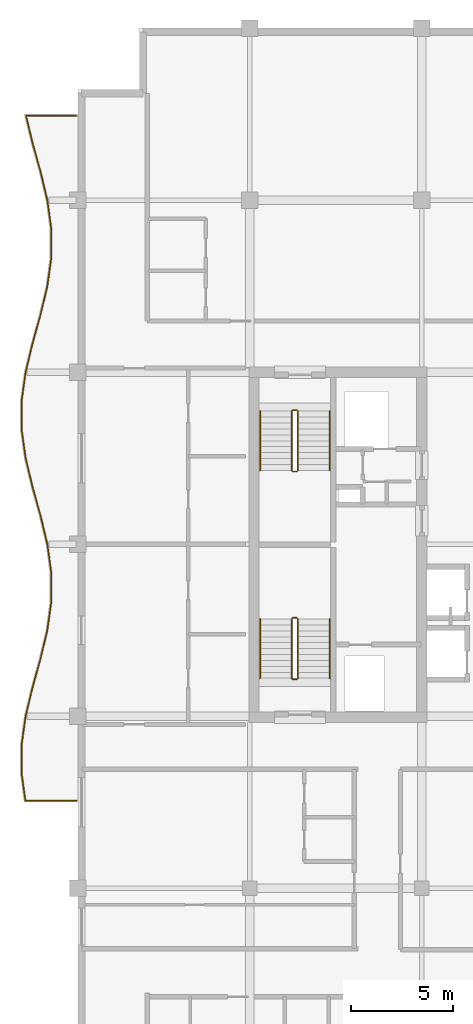
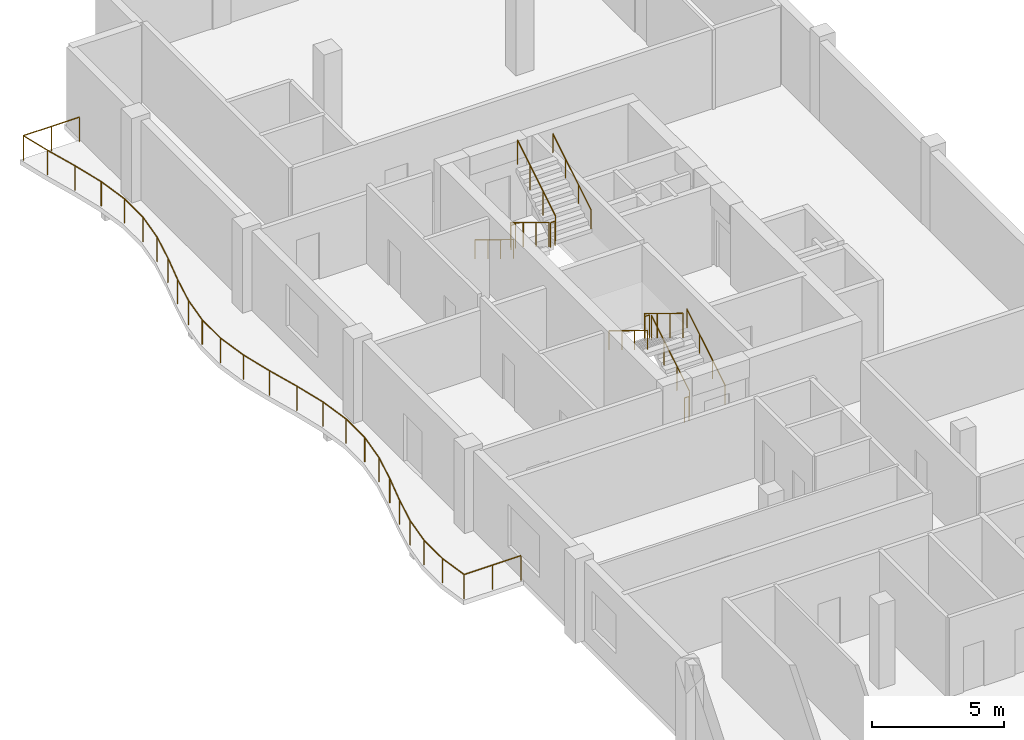
# One storey, part 11 of 11: 13 railings.
"""IFC4 building model written with IfcOpenShell, lengths in metres."""

from ifc_helpers import new_model, si_unit, direction, frame, origin, origin_2d, place, context, subcontext, project, spatial, circle, extrude, material, type_object, element, save


model = new_model("IFC4")

# Units and contexts
model_context = context("Model", 3, precision=1e-05, world=origin(), true_north=direction((0.0, 1.0)))
body_context = subcontext(model_context, "Body", "Model", "MODEL_VIEW")
ifc_project = project(units=[si_unit("LENGTHUNIT", "METRE"), si_unit("AREAUNIT", "SQUARE_METRE"), si_unit("VOLUMEUNIT", "CUBIC_METRE"), si_unit("PLANEANGLEUNIT", "RADIAN"), si_unit("MASSUNIT", "GRAM", prefix="KILO")], contexts=[model_context])

# Site, building, storey
site_placement = place(None, origin())
site = spatial("IfcSite", under=ifc_project, at=site_placement, CompositionType="ELEMENT")
building_placement = place(site_placement, origin())
building = spatial("IfcBuilding", under=site, at=building_placement, Name="Koriwani Terraces Tower", CompositionType="ELEMENT")
storey_placement = place(building_placement, frame((0.0, 0.0, 312.5)))
storey = spatial("IfcBuildingStorey", under=building, at=storey_placement, Name="L77", CompositionType="ELEMENT", Elevation=312.5)

# Railings
ifc_material = material(Name="Steel ASTM A572 Grade 50", Category="steel")
railing_type_1 = type_object("IfcRailingType", Name="GUARD_BALUSTRADE_1150", PredefinedType="BALUSTRADE", material=ifc_material)
railing_1_placement = place(storey_placement, frame((8.320068359375, 37.8798828125, 0.0)))
element("IfcRailing", 1, at=railing_1_placement, inside=storey, type_object=railing_type_1, Name="L77 Balcony Perimeter Safety Balustrade (W)", PredefinedType="BALUSTRADE", context=body_context, shape_type="SweptSolid", body=[
    extrude(circle(Radius=0.02392578125, at=origin_2d()), frame((0.0, 0.0, 1.1259765625), z_axis=(-1.0, 0.0, 0.0), x_axis=(0.0, -1.0, 0.0)), (0.0, 0.0, 1.0), 2.480712890625),
    extrude(circle(Radius=0.02392578125, at=origin_2d()), frame((-2.480712890625, 0.0, 1.1259765625), z_axis=(-0.137359576657, 0.990521249999, 0.0), x_axis=(-0.990521249999, -0.137359576657, 0.0)), (0.0, 0.0, 1.0), 1.33837890625),
    extrude(circle(Radius=0.02392578125, at=origin_2d()), frame((-2.66455078125, 1.32568359375, 1.1259765625), z_axis=(0.0, 1.0, 0.0), x_axis=(-1.0, 0.0, 0.0)), (0.0, 0.0, 1.0), 1.388916015625),
    extrude(circle(Radius=0.02392578125, at=origin_2d()), frame((-2.66455078125, 2.714599609375, 1.1259765625), z_axis=(0.137378806302, 0.990518583157, 0.0), x_axis=(-0.990518583157, 0.137378806302, 0.0)), (0.0, 0.0, 1.0), 1.404052734375),
    extrude(circle(Radius=0.02392578125, at=origin_2d()), frame((-2.4716796875, 4.105224609375, 1.1259765625), z_axis=(0.233514568862, 0.972353303141, 0.0), x_axis=(-0.972353303141, 0.233514568862, 0.0)), (0.0, 0.0, 1.0), 1.434326171875),
    extrude(circle(Radius=0.02392578125, at=origin_2d()), frame((-2.13671875, 5.5, 1.1259765625), z_axis=(0.26716718525, 0.963650193341, 0.0), x_axis=(-0.963650193341, 0.26716718525, 0.0)), (0.0, 0.0, 1.0), 1.452880859375),
    extrude(circle(Radius=0.02392578125, at=origin_2d()), frame((-1.74853515625, 6.900146484375, 1.1259765625), z_axis=(0.233302667738, 0.972404167631, 0.0), x_axis=(-0.972404167631, 0.233302667738, 0.0)), (0.0, 0.0, 1.0), 1.445068359375),
    extrude(circle(Radius=0.02392578125, at=origin_2d()), frame((-1.411376953125, 8.305419921875, 1.1259765625), z_axis=(0.137287762455, 0.990531206111, 0.0), x_axis=(-0.990531206111, 0.137287762455, 0.0)), (0.0, 0.0, 1.0), 1.422607421875),
    extrude(circle(Radius=0.02392578125, at=origin_2d()), frame((-1.216064453125, 9.714599609375, 1.1259765625), z_axis=(0.0, 1.0, 0.0), x_axis=(-1.0, 0.0, 0.0)), (0.0, 0.0, 1.0), 1.4111328125),
    extrude(circle(Radius=0.02392578125, at=origin_2d()), frame((-1.216064453125, 11.125732421875, 1.1259765625), z_axis=(-0.137287762455, 0.990531206111, 0.0), x_axis=(-0.990531206111, -0.137287762455, 0.0)), (0.0, 0.0, 1.0), 1.422607421875),
    extrude(circle(Radius=0.02392578125, at=origin_2d()), frame((-1.411376953125, 12.534912109375, 1.1259765625), z_axis=(-0.233302667738, 0.972404167631, 0.0), x_axis=(-0.972404167631, -0.233302667738, 0.0)), (0.0, 0.0, 1.0), 1.445068359375),
    extrude(circle(Radius=0.02392578125, at=origin_2d()), frame((-1.74853515625, 13.940185546875, 1.1259765625), z_axis=(-0.267210452187, 0.963638196753, 0.0), x_axis=(-0.963638196753, -0.267210452187, 0.0)), (0.0, 0.0, 1.0), 1.45263671875),
    extrude(circle(Radius=0.02392578125, at=origin_2d()), frame((-2.13671875, 15.340087890625, 1.1259765625), z_axis=(-0.23347592966, 0.972362581689, 0.0), x_axis=(-0.972362581689, -0.23347592966, 0.0)), (0.0, 0.0, 1.0), 1.4345703125),
    extrude(circle(Radius=0.02392578125, at=origin_2d()), frame((-2.4716796875, 16.735107421875, 1.1259765625), z_axis=(-0.137378806302, 0.990518583157, 0.0), x_axis=(-0.990518583157, -0.137378806302, 0.0)), (0.0, 0.0, 1.0), 1.404052734375),
    extrude(circle(Radius=0.02392578125, at=origin_2d()), frame((-2.66455078125, 18.125732421875, 1.1259765625), z_axis=(0.0, 1.0, 0.0), x_axis=(-1.0, 0.0, 0.0)), (0.0, 0.0, 1.0), 1.388916015625),
    extrude(circle(Radius=0.02392578125, at=origin_2d()), frame((-2.66455078125, 19.5146484375, 1.1259765625), z_axis=(0.137378806302, 0.990518583157, 0.0), x_axis=(-0.990518583157, 0.137378806302, 0.0)), (0.0, 0.0, 1.0), 1.404052734375),
    extrude(circle(Radius=0.02392578125, at=origin_2d()), frame((-2.4716796875, 20.9052734375, 1.1259765625), z_axis=(0.233514568862, 0.972353303141, 0.0), x_axis=(-0.972353303141, 0.233514568862, 0.0)), (0.0, 0.0, 1.0), 1.434326171875),
    extrude(circle(Radius=0.02392578125, at=origin_2d()), frame((-2.13671875, 22.300048828125, 1.1259765625), z_axis=(0.26716718525, 0.963650193341, 0.0), x_axis=(-0.963650193341, 0.26716718525, 0.0)), (0.0, 0.0, 1.0), 1.452880859375),
    extrude(circle(Radius=0.02392578125, at=origin_2d()), frame((-1.74853515625, 23.7001953125, 1.1259765625), z_axis=(0.233340999769, 0.972394970075, 0.0), x_axis=(-0.972394970075, 0.233340999769, 0.0)), (0.0, 0.0, 1.0), 1.44482421875),
    extrude(circle(Radius=0.02392578125, at=origin_2d()), frame((-1.411376953125, 25.105224609375, 1.1259765625), z_axis=(0.137264429555, 0.990534439774, 0.0), x_axis=(-0.990534439774, 0.137264429555, 0.0)), (0.0, 0.0, 1.0), 1.4228515625),
    extrude(circle(Radius=0.02392578125, at=origin_2d()), frame((-1.216064453125, 26.5146484375, 1.1259765625), z_axis=(0.0, 1.0, 0.0), x_axis=(-1.0, 0.0, 0.0)), (0.0, 0.0, 1.0), 1.410888671875),
    extrude(circle(Radius=0.02392578125, at=origin_2d()), frame((-1.216064453125, 27.925537109375, 1.1259765625), z_axis=(-0.137264429555, 0.990534439774, 0.0), x_axis=(-0.990534439774, -0.137264429555, 0.0)), (0.0, 0.0, 1.0), 1.4228515625),
    extrude(circle(Radius=0.02392578125, at=origin_2d()), frame((-1.411376953125, 29.3349609375, 1.1259765625), z_axis=(-0.233302667738, 0.972404167631, 0.0), x_axis=(-0.972404167631, -0.233302667738, 0.0)), (0.0, 0.0, 1.0), 1.445068359375),
    extrude(circle(Radius=0.02392578125, at=origin_2d()), frame((-1.74853515625, 30.740234375, 1.1259765625), z_axis=(-0.267210452187, 0.963638196753, 0.0), x_axis=(-0.963638196753, -0.267210452187, 0.0)), (0.0, 0.0, 1.0), 1.45263671875),
    extrude(circle(Radius=0.02392578125, at=origin_2d()), frame((-2.13671875, 32.14013671875, 1.1259765625), z_axis=(-0.233545604015, 0.9723458494, 0.0), x_axis=(-0.9723458494, -0.233545604015, 0.0)), (0.0, 0.0, 1.0), 1.3369140625),
    extrude(circle(Radius=0.02392578125, at=origin_2d()), frame((-2.448974609375, 33.440185546875, 1.1259765625), z_axis=(1.0, 0.0, 0.0), x_axis=(0.0, 1.0, 0.0)), (0.0, 0.0, 1.0), 2.448974609375),
    extrude(circle(Radius=0.02099609375, at=origin_2d()), origin(), (0.0, 0.0, 1.0), 1.101806640625),
    extrude(circle(Radius=0.02099609375, at=origin_2d()), frame((-1.240234375, 0.0, 0.0)), (0.0, 0.0, 1.0), 1.101806640625),
    extrude(circle(Radius=0.02099609375, at=origin_2d()), frame((-2.480712890625, 0.0, 0.0)), (0.0, 0.0, 1.0), 1.101806640625),
    extrude(circle(Radius=0.02099609375, at=origin_2d()), frame((-2.66455078125, 1.32568359375, 0.0)), (0.0, 0.0, 1.0), 1.101806640625),
    extrude(circle(Radius=0.02099609375, at=origin_2d()), frame((-2.66455078125, 2.714599609375, 0.0)), (0.0, 0.0, 1.0), 1.101806640625),
    extrude(circle(Radius=0.02099609375, at=origin_2d()), frame((-2.4716796875, 4.105224609375, 0.0)), (0.0, 0.0, 1.0), 1.101806640625),
    extrude(circle(Radius=0.02099609375, at=origin_2d()), frame((-2.13671875, 5.5, 0.0)), (0.0, 0.0, 1.0), 1.101806640625),
    extrude(circle(Radius=0.02099609375, at=origin_2d()), frame((-1.74853515625, 6.900146484375, 0.0)), (0.0, 0.0, 1.0), 1.101806640625),
    extrude(circle(Radius=0.02099609375, at=origin_2d()), frame((-1.411376953125, 8.305419921875, 0.0)), (0.0, 0.0, 1.0), 1.101806640625),
    extrude(circle(Radius=0.02099609375, at=origin_2d()), frame((-1.216064453125, 9.714599609375, 0.0)), (0.0, 0.0, 1.0), 1.101806640625),
    extrude(circle(Radius=0.02099609375, at=origin_2d()), frame((-1.216064453125, 11.125732421875, 0.0)), (0.0, 0.0, 1.0), 1.101806640625),
    extrude(circle(Radius=0.02099609375, at=origin_2d()), frame((-1.411376953125, 12.534912109375, 0.0)), (0.0, 0.0, 1.0), 1.101806640625),
    extrude(circle(Radius=0.02099609375, at=origin_2d()), frame((-1.74853515625, 13.940185546875, 0.0)), (0.0, 0.0, 1.0), 1.101806640625),
    extrude(circle(Radius=0.02099609375, at=origin_2d()), frame((-2.13671875, 15.340087890625, 0.0)), (0.0, 0.0, 1.0), 1.101806640625),
    extrude(circle(Radius=0.02099609375, at=origin_2d()), frame((-2.4716796875, 16.735107421875, 0.0)), (0.0, 0.0, 1.0), 1.101806640625),
    extrude(circle(Radius=0.02099609375, at=origin_2d()), frame((-2.66455078125, 18.125732421875, 0.0)), (0.0, 0.0, 1.0), 1.101806640625),
    extrude(circle(Radius=0.02099609375, at=origin_2d()), frame((-2.66455078125, 19.5146484375, 0.0)), (0.0, 0.0, 1.0), 1.101806640625),
    extrude(circle(Radius=0.02099609375, at=origin_2d()), frame((-2.4716796875, 20.9052734375, 0.0)), (0.0, 0.0, 1.0), 1.101806640625),
    extrude(circle(Radius=0.02099609375, at=origin_2d()), frame((-2.13671875, 22.300048828125, 0.0)), (0.0, 0.0, 1.0), 1.101806640625),
    extrude(circle(Radius=0.02099609375, at=origin_2d()), frame((-1.74853515625, 23.7001953125, 0.0)), (0.0, 0.0, 1.0), 1.101806640625),
    extrude(circle(Radius=0.02099609375, at=origin_2d()), frame((-1.411376953125, 25.105224609375, 0.0)), (0.0, 0.0, 1.0), 1.101806640625),
    extrude(circle(Radius=0.02099609375, at=origin_2d()), frame((-1.216064453125, 26.5146484375, 0.0)), (0.0, 0.0, 1.0), 1.101806640625),
    extrude(circle(Radius=0.02099609375, at=origin_2d()), frame((-1.216064453125, 27.925537109375, 0.0)), (0.0, 0.0, 1.0), 1.101806640625),
    extrude(circle(Radius=0.02099609375, at=origin_2d()), frame((-1.411376953125, 29.3349609375, 0.0)), (0.0, 0.0, 1.0), 1.101806640625),
    extrude(circle(Radius=0.02099609375, at=origin_2d()), frame((-1.74853515625, 30.740234375, 0.0)), (0.0, 0.0, 1.0), 1.101806640625),
    extrude(circle(Radius=0.02099609375, at=origin_2d()), frame((-2.13671875, 32.14013671875, 0.0)), (0.0, 0.0, 1.0), 1.101806640625),
    extrude(circle(Radius=0.02099609375, at=origin_2d()), frame((-2.448974609375, 33.440185546875, 0.0)), (0.0, 0.0, 1.0), 1.101806640625),
    extrude(circle(Radius=0.02099609375, at=origin_2d()), frame((-1.224609375, 33.440185546875, 0.0)), (0.0, 0.0, 1.0), 1.101806640625),
    extrude(circle(Radius=0.02099609375, at=origin_2d()), frame((0.0, 33.440185546875, 0.0)), (0.0, 0.0, 1.0), 1.101806640625),
])
railing_type_2 = type_object("IfcRailingType", Name="GUARD_STAIR_WELL_1120", PredefinedType="GUARDRAIL", material=ifc_material)
railing_2_placement = place(storey_placement, frame((19.14990234375, 43.85009765625, 0.17724609375)))
element("IfcRailing", 2, at=railing_2_placement, inside=storey, type_object=railing_type_2, Name="L77 ST-W1 stair guard 1", PredefinedType="GUARDRAIL", context=body_context, shape_type="SweptSolid", body=[
    extrude(circle(Radius=0.02392578125, at=origin_2d()), frame((0.0, 0.0, 1.1259765625), z_axis=(0.0, 0.853210801645, 0.521566225858), x_axis=(-1.0, 0.0, 0.0)), (0.0, 0.0, 1.0), 3.39892578125),
    extrude(circle(Radius=0.02099609375, at=origin_2d()), origin(), (0.0, 0.0, 1.0), 1.101806640625),
    extrude(circle(Radius=0.02099609375, at=origin_2d()), frame((0.0, 0.966552734375, 0.5908203125)), (0.0, 0.0, 1.0), 1.101806640625),
    extrude(circle(Radius=0.02099609375, at=origin_2d()), frame((0.0, 1.933349609375, 1.181884765625)), (0.0, 0.0, 1.0), 1.101806640625),
    extrude(circle(Radius=0.02099609375, at=origin_2d()), frame((0.0, 2.89990234375, 1.772705078125)), (0.0, 0.0, 1.0), 1.101806640625),
])
railing_3_placement = place(storey_placement, frame((19.10009765625, 46.800048828125, 1.949951171875)))
element("IfcRailing", 3, at=railing_3_placement, inside=storey, type_object=railing_type_2, Name="L77 ST-W1 stair guard 2", PredefinedType="GUARDRAIL", context=body_context, shape_type="SweptSolid", body=[
    extrude(circle(Radius=0.02392578125, at=origin_2d()), frame((0.0, 0.0, 1.1259765625), z_axis=(-1.0, 0.0, 0.0), x_axis=(0.0, -1.0, 0.0)), (0.0, 0.0, 1.0), 0.2001953125),
    extrude(circle(Radius=0.02099609375, at=origin_2d()), origin(), (0.0, 0.0, 1.0), 1.101806640625),
    extrude(circle(Radius=0.02099609375, at=origin_2d()), frame((-0.2001953125, 0.0, 0.0)), (0.0, 0.0, 1.0), 1.101806640625),
])
railing_4_placement = place(storey_placement, frame((18.85009765625, 46.75, 2.127197265625)))
element("IfcRailing", 4, at=railing_4_placement, inside=storey, type_object=railing_type_2, Name="L77 ST-W1 stair guard 3", PredefinedType="GUARDRAIL", context=body_context, shape_type="SweptSolid", body=[
    extrude(circle(Radius=0.02392578125, at=origin_2d()), frame((0.0, 0.0, 1.1259765625), z_axis=(0.0, -0.853210801645, 0.521566225858), x_axis=(1.0, 0.0, 0.0)), (0.0, 0.0, 1.0), 3.39892578125),
    extrude(circle(Radius=0.02099609375, at=origin_2d()), origin(), (0.0, 0.0, 1.0), 1.101806640625),
    extrude(circle(Radius=0.02099609375, at=origin_2d()), frame((0.0, -0.966552734375, 0.5908203125)), (0.0, 0.0, 1.0), 1.101806640625),
    extrude(circle(Radius=0.02099609375, at=origin_2d()), frame((0.0, -1.933349609375, 1.181884765625)), (0.0, 0.0, 1.0), 1.101806640625),
    extrude(circle(Radius=0.02099609375, at=origin_2d()), frame((0.0, -2.89990234375, 1.772705078125)), (0.0, 0.0, 1.0), 1.101806640625),
])
railing_5_placement = place(storey_placement, frame((19.10009765625, 43.800048828125, 0.0)))
element("IfcRailing", 5, at=railing_5_placement, inside=storey, type_object=railing_type_2, Name="L77 ST-W1 stair guard 4", PredefinedType="GUARDRAIL", context=body_context, shape_type="SweptSolid", body=[
    extrude(circle(Radius=0.02392578125, at=origin_2d()), frame((0.0, 0.0, 1.1259765625), z_axis=(-1.0, 0.0, 0.0), x_axis=(0.0, -1.0, 0.0)), (0.0, 0.0, 1.0), 0.2001953125),
    extrude(circle(Radius=0.02099609375, at=origin_2d()), origin(), (0.0, 0.0, 1.0), 1.101806640625),
    extrude(circle(Radius=0.02099609375, at=origin_2d()), frame((-0.2001953125, 0.0, 0.0)), (0.0, 0.0, 1.0), 1.101806640625),
])
railing_6_placement = place(storey_placement, frame((18.85009765625, 56.89990234375, 0.17724609375)))
element("IfcRailing", 6, at=railing_6_placement, inside=storey, type_object=railing_type_2, Name="L77 ST-W2 stair guard 1", PredefinedType="GUARDRAIL", context=body_context, shape_type="SweptSolid", body=[
    extrude(circle(Radius=0.02392578125, at=origin_2d()), frame((0.0, 0.0, 1.1259765625), z_axis=(0.0, -0.853210801645, 0.521566225858), x_axis=(1.0, 0.0, 0.0)), (0.0, 0.0, 1.0), 3.39892578125),
    extrude(circle(Radius=0.02099609375, at=origin_2d()), origin(), (0.0, 0.0, 1.0), 1.101806640625),
    extrude(circle(Radius=0.02099609375, at=origin_2d()), frame((0.0, -0.966552734375, 0.5908203125)), (0.0, 0.0, 1.0), 1.101806640625),
    extrude(circle(Radius=0.02099609375, at=origin_2d()), frame((0.0, -1.933349609375, 1.181884765625)), (0.0, 0.0, 1.0), 1.101806640625),
    extrude(circle(Radius=0.02099609375, at=origin_2d()), frame((0.0, -2.89990234375, 1.772705078125)), (0.0, 0.0, 1.0), 1.101806640625),
])
railing_7_placement = place(storey_placement, frame((18.89990234375, 53.949951171875, 1.949951171875)))
element("IfcRailing", 7, at=railing_7_placement, inside=storey, type_object=railing_type_2, Name="L77 ST-W2 stair guard 2", PredefinedType="GUARDRAIL", context=body_context, shape_type="SweptSolid", body=[
    extrude(circle(Radius=0.02392578125, at=origin_2d()), frame((0.0, 0.0, 1.1259765625), z_axis=(1.0, 0.0, 0.0), x_axis=(0.0, 1.0, 0.0)), (0.0, 0.0, 1.0), 0.2001953125),
    extrude(circle(Radius=0.02099609375, at=origin_2d()), origin(), (0.0, 0.0, 1.0), 1.101806640625),
    extrude(circle(Radius=0.02099609375, at=origin_2d()), frame((0.2001953125, 0.0, 0.0)), (0.0, 0.0, 1.0), 1.101806640625),
])
railing_8_placement = place(storey_placement, frame((19.14990234375, 54.0, 2.127197265625)))
element("IfcRailing", 8, at=railing_8_placement, inside=storey, type_object=railing_type_2, Name="L77 ST-W2 stair guard 3", PredefinedType="GUARDRAIL", context=body_context, shape_type="SweptSolid", body=[
    extrude(circle(Radius=0.02392578125, at=origin_2d()), frame((0.0, 0.0, 1.1259765625), z_axis=(0.0, 0.853210801645, 0.521566225858), x_axis=(-1.0, 0.0, 0.0)), (0.0, 0.0, 1.0), 3.39892578125),
    extrude(circle(Radius=0.02099609375, at=origin_2d()), origin(), (0.0, 0.0, 1.0), 1.101806640625),
    extrude(circle(Radius=0.02099609375, at=origin_2d()), frame((0.0, 0.966552734375, 0.5908203125)), (0.0, 0.0, 1.0), 1.101806640625),
    extrude(circle(Radius=0.02099609375, at=origin_2d()), frame((0.0, 1.933349609375, 1.181884765625)), (0.0, 0.0, 1.0), 1.101806640625),
    extrude(circle(Radius=0.02099609375, at=origin_2d()), frame((0.0, 2.89990234375, 1.772705078125)), (0.0, 0.0, 1.0), 1.101806640625),
])
railing_9_placement = place(storey_placement, frame((18.89990234375, 56.949951171875, 0.0)))
element("IfcRailing", 9, at=railing_9_placement, inside=storey, type_object=railing_type_2, Name="L77 ST-W2 stair guard 4", PredefinedType="GUARDRAIL", context=body_context, shape_type="SweptSolid", body=[
    extrude(circle(Radius=0.02392578125, at=origin_2d()), frame((0.0, 0.0, 1.1259765625), z_axis=(1.0, 0.0, 0.0), x_axis=(0.0, 1.0, 0.0)), (0.0, 0.0, 1.0), 0.2001953125),
    extrude(circle(Radius=0.02099609375, at=origin_2d()), origin(), (0.0, 0.0, 1.0), 1.101806640625),
    extrude(circle(Radius=0.02099609375, at=origin_2d()), frame((0.2001953125, 0.0, 0.0)), (0.0, 0.0, 1.0), 1.101806640625),
])
railing_type_3 = type_object("IfcRailingType", Name="HANDRAIL_STAIR_920", PredefinedType="HANDRAIL", material=ifc_material)
railing_10_placement = place(storey_placement, frame((20.699951171875, 43.85009765625, 0.17724609375)))
element("IfcRailing", 10, at=railing_10_placement, inside=storey, type_object=railing_type_3, Name="L77 ST-W1 stair handrail 1", PredefinedType="HANDRAIL", context=body_context, shape_type="SweptSolid", body=[
    extrude(circle(Radius=0.02392578125, at=origin_2d()), frame((0.0, 0.0, 0.8759765625), z_axis=(0.0, 0.853210801645, 0.521566225858), x_axis=(-1.0, 0.0, 0.0)), (0.0, 0.0, 1.0), 3.39892578125),
    extrude(circle(Radius=0.02099609375, at=origin_2d()), origin(), (0.0, 0.0, 1.0), 0.851806640625),
    extrude(circle(Radius=0.02099609375, at=origin_2d()), frame((0.0, 0.966552734375, 0.5908203125)), (0.0, 0.0, 1.0), 0.851806640625),
    extrude(circle(Radius=0.02099609375, at=origin_2d()), frame((0.0, 1.933349609375, 1.181884765625)), (0.0, 0.0, 1.0), 0.851806640625),
    extrude(circle(Radius=0.02099609375, at=origin_2d()), frame((0.0, 2.89990234375, 1.772705078125)), (0.0, 0.0, 1.0), 0.851806640625),
])
for number, where, name in (
    (11, (17.300048828125, 46.75, 2.127197265625), "L77 ST-W1 stair handrail 2"),
    (12, (17.300048828125, 56.89990234375, 0.17724609375), "L77 ST-W2 stair handrail 1"),
):
    element("IfcRailing", number, at=place(storey_placement, frame(where)), inside=storey, type_object=railing_type_3, Name=name, PredefinedType="HANDRAIL", context=body_context, shape_type="SweptSolid", body=[
        extrude(circle(Radius=0.02392578125, at=origin_2d()), frame((0.0, 0.0, 0.8759765625), z_axis=(0.0, -0.853210801645, 0.521566225858), x_axis=(1.0, 0.0, 0.0)), (0.0, 0.0, 1.0), 3.39892578125),
        extrude(circle(Radius=0.02099609375, at=origin_2d()), origin(), (0.0, 0.0, 1.0), 0.851806640625),
        extrude(circle(Radius=0.02099609375, at=origin_2d()), frame((0.0, -0.966552734375, 0.5908203125)), (0.0, 0.0, 1.0), 0.851806640625),
        extrude(circle(Radius=0.02099609375, at=origin_2d()), frame((0.0, -1.933349609375, 1.181884765625)), (0.0, 0.0, 1.0), 0.851806640625),
        extrude(circle(Radius=0.02099609375, at=origin_2d()), frame((0.0, -2.89990234375, 1.772705078125)), (0.0, 0.0, 1.0), 0.851806640625),
    ])
railing_11_placement = place(storey_placement, frame((20.699951171875, 54.0, 2.127197265625)))
element("IfcRailing", 13, at=railing_11_placement, inside=storey, type_object=railing_type_3, Name="L77 ST-W2 stair handrail 2", PredefinedType="HANDRAIL", context=body_context, shape_type="SweptSolid", body=[
    extrude(circle(Radius=0.02392578125, at=origin_2d()), frame((0.0, 0.0, 0.8759765625), z_axis=(0.0, 0.853210801645, 0.521566225858), x_axis=(-1.0, 0.0, 0.0)), (0.0, 0.0, 1.0), 3.39892578125),
    extrude(circle(Radius=0.02099609375, at=origin_2d()), origin(), (0.0, 0.0, 1.0), 0.851806640625),
    extrude(circle(Radius=0.02099609375, at=origin_2d()), frame((0.0, 0.966552734375, 0.5908203125)), (0.0, 0.0, 1.0), 0.851806640625),
    extrude(circle(Radius=0.02099609375, at=origin_2d()), frame((0.0, 1.933349609375, 1.181884765625)), (0.0, 0.0, 1.0), 0.851806640625),
    extrude(circle(Radius=0.02099609375, at=origin_2d()), frame((0.0, 2.89990234375, 1.772705078125)), (0.0, 0.0, 1.0), 0.851806640625),
])

save(model, "model.ifc")
